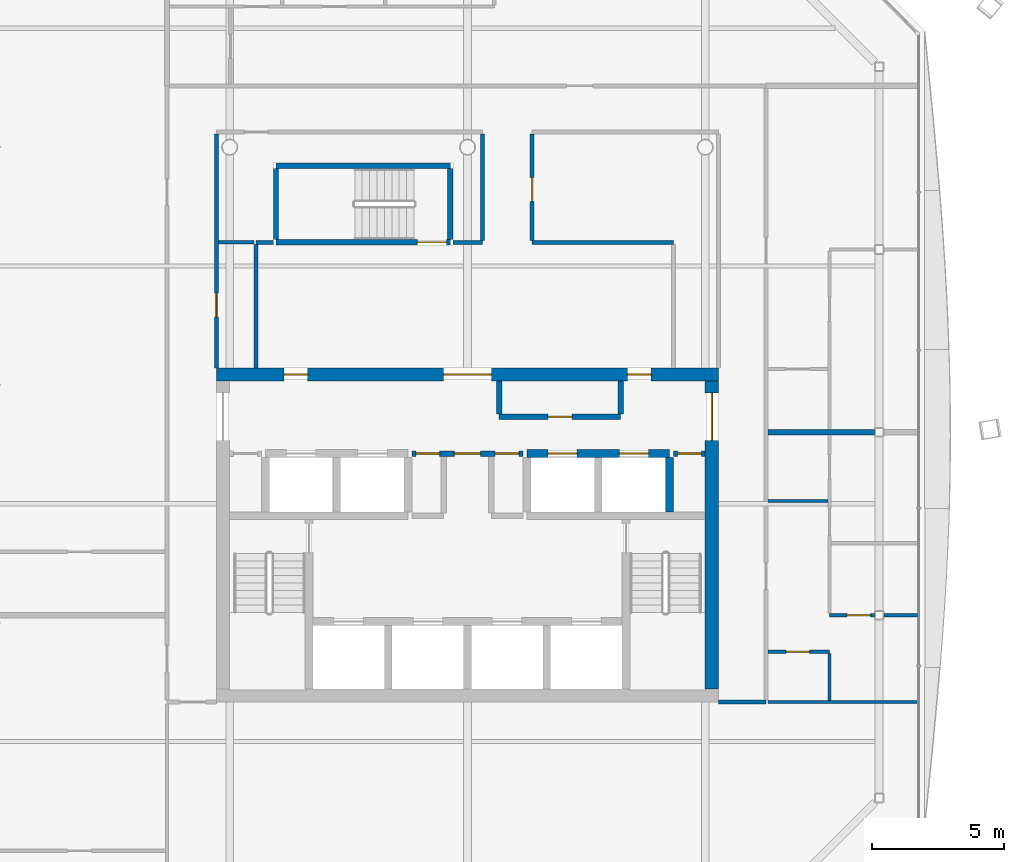
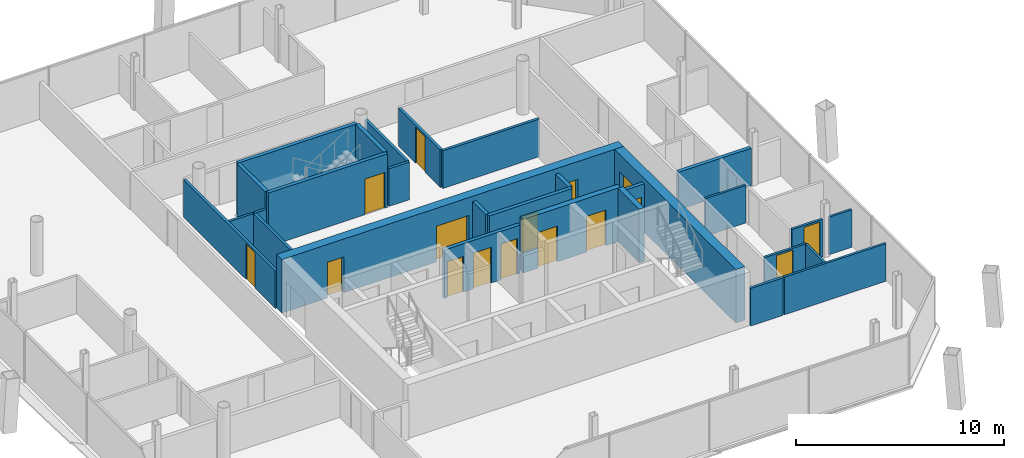
# One storey, part 15 of 20: 29 walls, 16 doors, 16 openings.
"""IFC4 building model written with IfcOpenShell, lengths in metres."""

import ifcopenshell
import ifcopenshell.guid

model = None  # the IFC model being written
_history = None  # IfcOwnerHistory: only IFC2X3 demands one
_inside = {}  # id of a spatial element -> (the spatial element, [elements in it])
_under = {}  # id of a project, library or spatial element -> (it, [spatial elements below it])
_declared = {}  # id of a project -> (the project, [libraries it declares])
_typed = {}  # id of a type object -> (the type object, [elements of that type])
_made_of = {}  # id of a material, layer set ... -> (it, [elements and type objects made of it])


def new_model(schema):
    """Start an empty IFC model of exactly this schema.

    Asked for "IFC4X3", IfcOpenShell would pick the latest addendum, in which some entities
    have other attributes; the version numbers below select the first issue.
    IFC2X3 requires an IfcOwnerHistory on every rooted entity: one is made here for all.
    """
    global model, _history
    if schema == "IFC4X3":
        model = ifcopenshell.file(schema_version=(4, 3, 0, 0))
    else:
        model = ifcopenshell.file(schema=schema)
    _inside.clear()
    _under.clear()
    _declared.clear()
    _typed.clear()
    _made_of.clear()
    _history = None
    if model.schema == "IFC2X3":
        org = make("IfcOrganization", Name="unknown")
        user = make(
            "IfcPersonAndOrganization",
            ThePerson=make("IfcPerson", FamilyName="unknown"),
            TheOrganization=org,
        )
        app = make(
            "IfcApplication",
            ApplicationDeveloper=org,
            Version="unknown",
            ApplicationFullName="unknown",
            ApplicationIdentifier="unknown",
        )
        _history = make(
            "IfcOwnerHistory",
            OwningUser=user,
            OwningApplication=app,
            ChangeAction="ADDED",
            CreationDate=0,
        )
    return model


def make(cls, **values):
    """One entity of the class cls with the attributes given. An attribute that is None is left unset."""
    return model.create_entity(
        cls, **{name: value for name, value in values.items() if value is not None}
    )


def rooted(cls, **values):
    """An entity with a GlobalId (a new one), such as an element, a storey or a relation."""
    return make(cls, GlobalId=ifcopenshell.guid.new(), OwnerHistory=_history, **values)


def si_unit(unit_type, name, prefix=None):
    """IfcSIUnit, for example si_unit("LENGTHUNIT", "METRE", prefix="MILLI")."""
    return make("IfcSIUnit", UnitType=unit_type, Prefix=prefix, Name=name)


def assignment(units):
    """IfcUnitAssignment: the units of a project."""
    return None if units is None else make("IfcUnitAssignment", Units=units)


def point(xyz):
    """IfcCartesianPoint."""
    return None if xyz is None else make("IfcCartesianPoint", Coordinates=xyz)


def direction(xyz):
    """IfcDirection."""
    return None if xyz is None else make("IfcDirection", DirectionRatios=xyz)


def frame(location, z_axis=None, x_axis=None):
    """IfcAxis2Placement3D, a coordinate frame: its origin and axes. An axis left out is left unset."""
    return make(
        "IfcAxis2Placement3D",
        Location=point(location),
        Axis=direction(z_axis),
        RefDirection=direction(x_axis),
    )


def frame_2d(location, x_axis=None):
    """IfcAxis2Placement2D, a coordinate frame in the plane: its origin and x axis."""
    return make(
        "IfcAxis2Placement2D", Location=point(location), RefDirection=direction(x_axis)
    )


def origin():
    """The frame at (0, 0, 0) with its axes left unset."""
    return frame((0.0, 0.0, 0.0))


def place(relative_to, where):
    """IfcLocalPlacement: puts the frame where relative to a parent placement (None: the world)."""
    return make(
        "IfcLocalPlacement", PlacementRelTo=relative_to, RelativePlacement=where
    )


def context(
    kind, dimensions, precision=None, world=None, true_north=None, identifier=None
):
    """IfcGeometricRepresentationContext, for example the 3D "Model" context."""
    return make(
        "IfcGeometricRepresentationContext",
        ContextIdentifier=identifier,
        ContextType=kind,
        CoordinateSpaceDimension=dimensions,
        Precision=precision,
        WorldCoordinateSystem=world,
        TrueNorth=true_north,
    )


def subcontext(parent, identifier, kind, view, scale=None):
    """IfcGeometricRepresentationSubContext, for example "Body" below "Model"."""
    return make(
        "IfcGeometricRepresentationSubContext",
        ContextIdentifier=identifier,
        ContextType=kind,
        ParentContext=parent,
        TargetScale=scale,
        TargetView=view,
    )


def project(units=None, contexts=None):
    """IfcProject with its units and contexts."""
    return rooted(
        "IfcProject",
        Name="project",
        RepresentationContexts=contexts,
        UnitsInContext=assignment(units),
    )


def spatial(cls, under=None, at=None, **own):
    """A site, building, storey or space (cls), placed at a placement, below another one or the project."""
    s = rooted(cls, ObjectPlacement=at, **own)
    if under is not None:
        _under.setdefault(under.id(), (under, []))[1].append(s)
    return s


def profile(cls, at=None, kind="AREA", **sizes):
    """A parametric profile (cls). Its sizes go by their IFC names, for example OverallWidth=200.0."""
    return make(cls, ProfileType=kind, Position=at, **sizes)


def rectangle(**sizes):
    """IfcRectangleProfileDef."""
    return profile("IfcRectangleProfileDef", **sizes)


def extrude(swept, where, along, depth):
    """IfcExtrudedAreaSolid: the profile swept, set in the frame where, extruded along a direction by depth."""
    return make(
        "IfcExtrudedAreaSolid",
        SweptArea=swept,
        Position=where,
        ExtrudedDirection=direction(along),
        Depth=depth,
    )


def shape(context_of_items, identifier, shape_type, items):
    """IfcShapeRepresentation: the items that make up one representation, for example the "Body"."""
    return make(
        "IfcShapeRepresentation",
        ContextOfItems=context_of_items,
        RepresentationIdentifier=identifier,
        RepresentationType=shape_type,
        Items=items,
    )


def material(Name=None, Category=None):
    """IfcMaterial."""
    return make("IfcMaterial", Name=Name, Category=Category)


def layer(
    of_material, thickness, ventilated=None, Name=None, Category=None, Priority=None
):
    """IfcMaterialLayer: one layer of a wall or slab, of a material (None: an air gap)."""
    return make(
        "IfcMaterialLayer",
        Material=of_material,
        LayerThickness=thickness,
        IsVentilated=ventilated,
        Name=Name,
        Category=Category,
        Priority=Priority,
    )


def layer_set(layers, Name=None):
    """IfcMaterialLayerSet."""
    return make("IfcMaterialLayerSet", MaterialLayers=layers, LayerSetName=Name)


def made_of(thing, what):
    """Note that an element or type object is made of a material, layer set ...; save() writes the relation."""
    if what is not None:
        _made_of.setdefault(what.id(), (what, []))[1].append(thing)
    return thing


def type_object(cls, material=None, **own):
    """A type object (cls), such as IfcWallType, which elements share."""
    return made_of(rooted(cls, **own), material)


def element(
    cls,
    number,
    at=None,
    inside=None,
    cuts=None,
    type_object=None,
    material=None,
    context=None,
    identifier="Body",
    shape_type=None,
    held_by="IfcProductDefinitionShape",
    body=None,
    shapes=None,
    **own,
):
    """One element of the class cls, such as IfcWall. Its Tag is "e" and its number.

    at: its placement. inside: the storey or other place that contains it. cuts: it is an
    opening in that element (IfcRelVoidsElement). A single representation is given by context,
    identifier, shape_type and body (its items); several are given by shapes. held_by: the class
    of the entity that holds the representations. save() writes the other relations.
    """
    e = rooted(cls, Tag="e%d" % number, ObjectPlacement=at, **own)
    if body is not None:
        shapes = [shape(context, identifier, shape_type, body)]
    if shapes is not None:
        e.Representation = make(held_by, Representations=shapes)
    if inside is not None:
        _inside.setdefault(inside.id(), (inside, []))[1].append(e)
    if cuts is not None:
        rooted(
            "IfcRelVoidsElement", RelatingBuildingElement=cuts, RelatedOpeningElement=e
        )
    if type_object is not None:
        _typed.setdefault(type_object.id(), (type_object, []))[1].append(e)
    return made_of(e, material)


def fill(opening, filler):
    """IfcRelFillsElement: the door or window that sits in an opening."""
    return rooted(
        "IfcRelFillsElement",
        RelatingOpeningElement=opening,
        RelatedBuildingElement=filler,
    )


def aggregate(whole, parts):
    """IfcRelAggregates: a whole, such as a stair, and the parts it consists of."""
    return rooted("IfcRelAggregates", RelatingObject=whole, RelatedObjects=parts)


def save(model, path):
    """Write the relations noted so far, then the file.

    IfcRelAggregates (storeys below a building ...), IfcRelContainedInSpatialStructure (elements
    in a storey), IfcRelDefinesByType, IfcRelAssociatesMaterial and IfcRelDeclares: one each for
    every whole, place, type object, material and project.
    """
    for whole, parts in _under.values():
        aggregate(whole, parts)
    for where, things in _inside.values():
        rooted(
            "IfcRelContainedInSpatialStructure",
            RelatedElements=things,
            RelatingStructure=where,
        )
    for kind, things in _typed.values():
        rooted("IfcRelDefinesByType", RelatedObjects=things, RelatingType=kind)
    for what, things in _made_of.values():
        rooted("IfcRelAssociatesMaterial", RelatedObjects=things, RelatingMaterial=what)
    for by, libraries in _declared.values():
        rooted("IfcRelDeclares", RelatingContext=by, RelatedDefinitions=libraries)
    model.write(path)


model = new_model("IFC4")

# Units and contexts
model_context = context("Model", 3, precision=1e-05, world=origin(), true_north=direction((0.0, 1.0)))
body_context = subcontext(model_context, "Body", "Model", "MODEL_VIEW")
ifc_project = project(units=[si_unit("LENGTHUNIT", "METRE"), si_unit("AREAUNIT", "SQUARE_METRE"), si_unit("VOLUMEUNIT", "CUBIC_METRE"), si_unit("PLANEANGLEUNIT", "RADIAN"), si_unit("MASSUNIT", "GRAM", prefix="KILO")], contexts=[model_context])

# Site, building, storey
site_placement = place(None, origin())
site = spatial("IfcSite", under=ifc_project, at=site_placement, CompositionType="ELEMENT")
building_placement = place(site_placement, origin())
building = spatial("IfcBuilding", under=site, at=building_placement, Name="Tskaro Facet Tower", CompositionType="ELEMENT")
storey_placement = place(building_placement, frame((0.0, 0.0, 197.39990234375)))
storey = spatial("IfcBuildingStorey", under=building, at=storey_placement, Name="L50", CompositionType="ELEMENT", Elevation=197.39990234375)

# Wall, openings, doors
ifc_material_1 = material(Name="Concrete C60/75", Category="concrete")
ifc_layer_1 = layer(ifc_material_1, 0.300048828125, Name="Concrete C60/75")
ifc_layer_set_1 = layer_set([ifc_layer_1], Name="Concrete C60/75")
wall_type_1 = type_object("IfcWallType", Name="CORE-SHAFT", PredefinedType="SHEAR", material=ifc_layer_set_1)
wall_1_placement = place(storey_placement, frame((2.25, -2.60009765625, 0.0), z_axis=(0.0, 0.0, 1.0), x_axis=(1.0, 0.0, 0.0)))
wall_1 = element("IfcWall", 1, at=wall_1_placement, inside=storey, type_object=wall_type_1, Name="Shaft wall W025", PredefinedType="SHEAR", context=body_context, shape_type="SweptSolid", body=[
    extrude(rectangle(XDim=5.39990234375, YDim=0.300048828125, at=frame_2d((2.699951171875, 0.0))), origin(), (0.0, 0.0, 1.0), 3.150146484375),
])
opening_1_placement = place(wall_1_placement, frame((0.800048828125, 0.0, 0.0)))
opening_1 = element("IfcOpeningElement", 2, at=opening_1_placement, cuts=wall_1, Name="Opening LD-HB3", PredefinedType="OPENING", context=body_context, shape_type="SweptSolid", body=[
    extrude(rectangle(XDim=1.10009765625, YDim=2.10009765625, at=frame_2d((0.550048828125, 1.050048828125))), frame((0.0, 0.159912109375, 0.0), z_axis=(0.0, -1.0, 0.0), x_axis=(1.0, 0.0, 0.0)), (0.0, 0.0, 1.0), 0.320068359375),
])
opening_2_placement = place(wall_1_placement, frame((3.5, 0.0, 0.0)))
opening_2 = element("IfcOpeningElement", 3, at=opening_2_placement, cuts=wall_1, Name="Opening LD-HB4", PredefinedType="OPENING", context=body_context, shape_type="SweptSolid", body=[
    extrude(rectangle(XDim=1.10009765625, YDim=2.10009765625, at=frame_2d((0.550048828125, 1.050048828125))), frame((0.0, 0.159912109375, 0.0), z_axis=(0.0, -1.0, 0.0), x_axis=(1.0, 0.0, 0.0)), (0.0, 0.0, 1.0), 0.320068359375),
])
ifc_material_2 = material(Name="Stainless steel", Category="steel")
door_type_1 = type_object("IfcDoorType", Name="D-LANDING", OperationType="NOTDEFINED", PredefinedType="DOOR", material=ifc_material_2)
door_1_placement = place(opening_1_placement, origin())
door_1 = element("IfcDoor", 4, at=door_1_placement, inside=storey, type_object=door_type_1, Name="Landing door HB3", OperationType="DOUBLE_DOOR_SLIDING", OverallHeight=2.10009765625, OverallWidth=1.10009765625, PredefinedType="DOOR", context=body_context, shape_type="SweptSolid", body=[
    extrude(rectangle(XDim=1.10009765625, YDim=2.10009765625, at=frame_2d((0.550048828125, 1.050048828125))), frame((0.0, 0.02490234375, 0.0), z_axis=(0.0, -1.0, 0.0), x_axis=(1.0, 0.0, 0.0)), (0.0, 0.0, 1.0), 0.050048828125),
])
fill(opening_1, door_1)
door_2_placement = place(opening_2_placement, origin())
door_2 = element("IfcDoor", 5, at=door_2_placement, inside=storey, type_object=door_type_1, Name="Landing door HB4", OperationType="DOUBLE_DOOR_SLIDING", OverallHeight=2.10009765625, OverallWidth=1.10009765625, PredefinedType="DOOR", context=body_context, shape_type="SweptSolid", body=[
    extrude(rectangle(XDim=1.10009765625, YDim=2.10009765625, at=frame_2d((0.550048828125, 1.050048828125))), frame((0.0, 0.02490234375, 0.0), z_axis=(0.0, -1.0, 0.0), x_axis=(1.0, 0.0, 0.0)), (0.0, 0.0, 1.0), 0.050048828125),
])
fill(opening_2, door_2)

# Wall
wall_2_placement = place(storey_placement, frame((7.64990234375, -4.800048828125, 0.0), z_axis=(0.0, 0.0, 1.0), x_axis=(0.0, 1.0, 0.0)))
element("IfcWall", 6, at=wall_2_placement, inside=storey, type_object=wall_type_1, Name="Shaft wall W080", PredefinedType="SHEAR", context=body_context, shape_type="SweptSolid", body=[
    extrude(rectangle(XDim=2.050048828125, YDim=0.300048828125, at=frame_2d((1.02490234375, 0.0))), origin(), (0.0, 0.0, 1.0), 3.150146484375),
])

# Wall, openings, doors
ifc_material_3 = material(Name="Concrete C20/25", Category="concrete")
ifc_layer_2 = layer(ifc_material_3, 0.199951171875, Name="Concrete C20/25")
ifc_layer_set_2 = layer_set([ifc_layer_2], Name="Concrete C20/25")
wall_type_2 = type_object("IfcWallType", Name="CORE-WALL", PredefinedType="SOLIDWALL", material=ifc_layer_set_2)
wall_3_placement = place(storey_placement, frame((2.10009765625, -2.60009765625, 0.0), z_axis=(0.0, 0.0, 1.0), x_axis=(-1.0, 0.0, 0.0)))
wall_3 = element("IfcWall", 7, at=wall_3_placement, inside=storey, type_object=wall_type_2, Name="Core room wall W024", PredefinedType="SOLIDWALL", context=body_context, shape_type="SweptSolid", body=[
    extrude(rectangle(XDim=4.2001953125, YDim=0.199951171875, at=frame_2d((2.10009765625, 0.0))), origin(), (0.0, 0.0, 1.0), 2.85009765625),
])
opening_3_placement = place(wall_3_placement, frame((1.60009765625, 0.0, 0.0)))
opening_3 = element("IfcOpeningElement", 8, at=opening_3_placement, cuts=wall_3, Name="Opening FL-D1", PredefinedType="OPENING", context=body_context, shape_type="SweptSolid", body=[
    extrude(rectangle(XDim=1.0, YDim=2.10009765625, at=frame_2d((0.5, 1.050048828125))), frame((0.0, 0.10986328125, 0.0), z_axis=(0.0, -1.0, 0.0), x_axis=(1.0, 0.0, 0.0)), (0.0, 0.0, 1.0), 0.219970703125),
])
opening_4_placement = place(wall_3_placement, frame((3.14990234375, 0.0, 0.0)))
opening_4 = element("IfcOpeningElement", 9, at=opening_4_placement, cuts=wall_3, Name="Opening T14-D14", PredefinedType="OPENING", context=body_context, shape_type="SweptSolid", body=[
    extrude(rectangle(XDim=0.89990234375, YDim=2.10009765625, at=frame_2d((0.449951171875, 1.050048828125))), frame((0.0, 0.10986328125, 0.0), z_axis=(0.0, -1.0, 0.0), x_axis=(1.0, 0.0, 0.0)), (0.0, 0.0, 1.0), 0.219970703125),
])
opening_5_placement = place(wall_3_placement, frame((0.14990234375, 0.0, 0.0)))
opening_5 = element("IfcOpeningElement", 10, at=opening_5_placement, cuts=wall_3, Name="Opening T14-D15", PredefinedType="OPENING", context=body_context, shape_type="SweptSolid", body=[
    extrude(rectangle(XDim=0.89990234375, YDim=2.10009765625, at=frame_2d((0.449951171875, 1.050048828125))), frame((0.0, 0.10986328125, 0.0), z_axis=(0.0, -1.0, 0.0), x_axis=(1.0, 0.0, 0.0)), (0.0, 0.0, 1.0), 0.219970703125),
])
ifc_material_4 = material(Name="Steel", Category="steel")
door_type_2 = type_object("IfcDoorType", Name="D-LOBBY", OperationType="NOTDEFINED", PredefinedType="DOOR", material=ifc_material_4)
door_3_placement = place(opening_3_placement, origin())
door_3 = element("IfcDoor", 11, at=door_3_placement, inside=storey, type_object=door_type_2, Name="Lobby door FL", OperationType="SINGLE_SWING_RIGHT", OverallHeight=2.10009765625, OverallWidth=1.0, PredefinedType="DOOR", context=body_context, shape_type="SweptSolid", body=[
    extrude(rectangle(XDim=1.0, YDim=2.10009765625, at=frame_2d((0.5, 1.050048828125))), frame((0.0, 0.02490234375, 0.0), z_axis=(0.0, -1.0, 0.0), x_axis=(1.0, 0.0, 0.0)), (0.0, 0.0, 1.0), 0.050048828125),
])
fill(opening_3, door_3)
ifc_material_5 = material(Name="Timber", Category="wood")
door_type_3 = type_object("IfcDoorType", Name="D-ROOM", OperationType="NOTDEFINED", PredefinedType="DOOR", material=ifc_material_5)
door_4_placement = place(opening_4_placement, origin())
door_4 = element("IfcDoor", 12, at=door_4_placement, inside=storey, type_object=door_type_3, Name="Door T14-D14", OperationType="SINGLE_SWING_RIGHT", OverallHeight=2.10009765625, OverallWidth=0.89990234375, PredefinedType="DOOR", context=body_context, shape_type="SweptSolid", body=[
    extrude(rectangle(XDim=0.89990234375, YDim=2.10009765625, at=frame_2d((0.449951171875, 1.050048828125))), frame((0.0, 0.02490234375, 0.0), z_axis=(0.0, -1.0, 0.0), x_axis=(1.0, 0.0, 0.0)), (0.0, 0.0, 1.0), 0.050048828125),
])
fill(opening_4, door_4)
door_5_placement = place(opening_5_placement, origin())
door_5 = element("IfcDoor", 13, at=door_5_placement, inside=storey, type_object=door_type_3, Name="Door T14-D15", OperationType="SINGLE_SWING_RIGHT", OverallHeight=2.10009765625, OverallWidth=0.89990234375, PredefinedType="DOOR", context=body_context, shape_type="SweptSolid", body=[
    extrude(rectangle(XDim=0.89990234375, YDim=2.10009765625, at=frame_2d((0.449951171875, 1.050048828125))), frame((0.0, 0.02490234375, 0.0), z_axis=(0.0, -1.0, 0.0), x_axis=(1.0, 0.0, 0.0)), (0.0, 0.0, 1.0), 0.050048828125),
])
fill(opening_5, door_5)

# Wall, opening, door
wall_4_placement = place(storey_placement, frame((9.0, -2.60009765625, 0.0), z_axis=(0.0, 0.0, 1.0), x_axis=(-1.0, 0.0, 0.0)))
wall_4 = element("IfcWall", 14, at=wall_4_placement, inside=storey, type_object=wall_type_2, Name="Core room wall W026", PredefinedType="SOLIDWALL", context=body_context, shape_type="SweptSolid", body=[
    extrude(rectangle(XDim=1.199951171875, YDim=0.199951171875, at=frame_2d((0.60009765625, 0.0))), origin(), (0.0, 0.0, 1.0), 2.85009765625),
])
opening_6_placement = place(wall_4_placement, frame((0.14990234375, 0.0, 0.0)))
opening_6 = element("IfcOpeningElement", 15, at=opening_6_placement, cuts=wall_4, Name="Opening T14-D16", PredefinedType="OPENING", context=body_context, shape_type="SweptSolid", body=[
    extrude(rectangle(XDim=0.89990234375, YDim=2.10009765625, at=frame_2d((0.449951171875, 1.050048828125))), frame((0.0, 0.10986328125, 0.0), z_axis=(0.0, -1.0, 0.0), x_axis=(1.0, 0.0, 0.0)), (0.0, 0.0, 1.0), 0.219970703125),
])
door_6_placement = place(opening_6_placement, origin())
door_6 = element("IfcDoor", 16, at=door_6_placement, inside=storey, type_object=door_type_3, Name="Door T14-D16", OperationType="SINGLE_SWING_RIGHT", OverallHeight=2.10009765625, OverallWidth=0.89990234375, PredefinedType="DOOR", context=body_context, shape_type="SweptSolid", body=[
    extrude(rectangle(XDim=0.89990234375, YDim=2.10009765625, at=frame_2d((0.449951171875, 1.050048828125))), frame((0.0, 0.02490234375, 0.0), z_axis=(0.0, -1.0, 0.0), x_axis=(1.0, 0.0, 0.0)), (0.0, 0.0, 1.0), 0.050048828125),
])
fill(opening_6, door_6)

wall_5_placement = place(storey_placement, frame((1.199951171875, -1.199951171875, 0.0), z_axis=(0.0, 0.0, 1.0), x_axis=(1.0, 0.0, 0.0)))
wall_5 = element("IfcWall", 17, at=wall_5_placement, inside=storey, type_object=wall_type_2, Name="Core room wall W031", PredefinedType="SOLIDWALL", context=body_context, shape_type="SweptSolid", body=[
    extrude(rectangle(XDim=4.60009765625, YDim=0.199951171875, at=frame_2d((2.300048828125, 0.0))), origin(), (0.0, 0.0, 1.0), 2.85009765625),
])
opening_7_placement = place(wall_5_placement, frame((1.85009765625, 0.0, 0.0)))
opening_7 = element("IfcOpeningElement", 18, at=opening_7_placement, cuts=wall_5, Name="Opening T14-D18", PredefinedType="OPENING", context=body_context, shape_type="SweptSolid", body=[
    extrude(rectangle(XDim=0.89990234375, YDim=2.10009765625, at=frame_2d((0.449951171875, 1.050048828125))), frame((0.0, 0.10986328125, 0.0), z_axis=(0.0, -1.0, 0.0), x_axis=(1.0, 0.0, 0.0)), (0.0, 0.0, 1.0), 0.219970703125),
])
door_7_placement = place(opening_7_placement, origin())
door_7 = element("IfcDoor", 19, at=door_7_placement, inside=storey, type_object=door_type_3, Name="Door T14-D18", OperationType="SINGLE_SWING_LEFT", OverallHeight=2.10009765625, OverallWidth=0.89990234375, PredefinedType="DOOR", context=body_context, shape_type="SweptSolid", body=[
    extrude(rectangle(XDim=0.89990234375, YDim=2.10009765625, at=frame_2d((0.449951171875, 1.050048828125))), frame((0.0, 0.02490234375, 0.0), z_axis=(0.0, -1.0, 0.0), x_axis=(1.0, 0.0, 0.0)), (0.0, 0.0, 1.0), 0.050048828125),
])
fill(opening_7, door_7)

# Walls
for number, where, z_axis, x_axis, name in (
    (20, (1.199951171875, -1.10009765625, 0.0), (0.0, 0.0, 1.0), (0.0, 1.0, 0.0), "Core room wall W073"),
    (21, (5.800048828125, -1.10009765625, 0.0), (0.0, 0.0, 1.0), (0.0, 1.0, 0.0), "Core room wall W078"),
):
    element("IfcWall", number, at=place(storey_placement, frame(where, z_axis=z_axis, x_axis=x_axis)), inside=storey, type_object=wall_type_2, Name=name, PredefinedType="SOLIDWALL", context=body_context, shape_type="SweptSolid", body=[
        extrude(rectangle(XDim=1.25, YDim=0.199951171875, at=frame_2d((0.625, 0.0))), origin(), (0.0, 0.0, 1.0), 2.85009765625),
    ])

# Wall, openings, doors
ifc_material_6 = material(Name="Concrete C40/50", Category="concrete")
ifc_layer_3 = layer(ifc_material_6, 0.5, Name="Concrete C40/50")
ifc_layer_set_3 = layer_set([ifc_layer_3], Name="Concrete C40/50")
wall_type_3 = type_object("IfcWallType", Name="Core wall 500", PredefinedType="SHEAR", material=ifc_layer_set_3)
wall_6_placement = place(storey_placement, frame((-9.5, 0.39990234375, 0.0), z_axis=(0.0, 0.0, 1.0), x_axis=(1.0, 0.0, 0.0)))
wall_6 = element("IfcWall", 22, at=wall_6_placement, inside=storey, type_object=wall_type_3, Name="Core wall CW-Z3N", PredefinedType="SHEAR", context=body_context, shape_type="SweptSolid", body=[
    extrude(rectangle(XDim=19.0, YDim=0.5, at=frame_2d((9.5, 0.0))), origin(), (0.0, 0.0, 1.0), 3.150146484375),
])
opening_8_placement = place(wall_6_placement, frame((8.60009765625, 0.0, 0.0)))
opening_8 = element("IfcOpeningElement", 23, at=opening_8_placement, cuts=wall_6, Name="Opening T14-D21", PredefinedType="OPENING", context=body_context, shape_type="SweptSolid", body=[
    extrude(rectangle(XDim=1.800048828125, YDim=2.10009765625, at=frame_2d((0.89990234375, 1.050048828125))), frame((0.0, 0.260009765625, 0.0), z_axis=(0.0, -1.0, 0.0), x_axis=(1.0, 0.0, 0.0)), (0.0, 0.0, 1.0), 0.52001953125),
])
opening_9_placement = place(wall_6_placement, frame((2.550048828125, 0.0, 0.0)))
opening_9 = element("IfcOpeningElement", 24, at=opening_9_placement, cuts=wall_6, Name="Opening T14-D20", PredefinedType="OPENING", context=body_context, shape_type="SweptSolid", body=[
    extrude(rectangle(XDim=0.89990234375, YDim=2.10009765625, at=frame_2d((0.449951171875, 1.050048828125))), frame((0.0, 0.260009765625, 0.0), z_axis=(0.0, -1.0, 0.0), x_axis=(1.0, 0.0, 0.0)), (0.0, 0.0, 1.0), 0.52001953125),
])
opening_10_placement = place(wall_6_placement, frame((15.550048828125, 0.0, 0.0)))
opening_10 = element("IfcOpeningElement", 25, at=opening_10_placement, cuts=wall_6, Name="Opening T14-D22", PredefinedType="OPENING", context=body_context, shape_type="SweptSolid", body=[
    extrude(rectangle(XDim=0.89990234375, YDim=2.10009765625, at=frame_2d((0.449951171875, 1.050048828125))), frame((0.0, 0.260009765625, 0.0), z_axis=(0.0, -1.0, 0.0), x_axis=(1.0, 0.0, 0.0)), (0.0, 0.0, 1.0), 0.52001953125),
])
door_type_4 = type_object("IfcDoorType", Name="D-CORE-PAIR", OperationType="NOTDEFINED", PredefinedType="DOOR", material=ifc_material_4)
door_8_placement = place(opening_8_placement, origin())
door_8 = element("IfcDoor", 26, at=door_8_placement, inside=storey, type_object=door_type_4, Name="Door T14-D21", OperationType="DOUBLE_DOOR_SINGLE_SWING", OverallHeight=2.10009765625, OverallWidth=1.800048828125, PredefinedType="DOOR", context=body_context, shape_type="SweptSolid", body=[
    extrude(rectangle(XDim=1.800048828125, YDim=2.10009765625, at=frame_2d((0.89990234375, 1.050048828125))), frame((0.0, 0.02490234375, 0.0), z_axis=(0.0, -1.0, 0.0), x_axis=(1.0, 0.0, 0.0)), (0.0, 0.0, 1.0), 0.050048828125),
])
fill(opening_8, door_8)
door_9_placement = place(opening_9_placement, origin())
door_9 = element("IfcDoor", 27, at=door_9_placement, inside=storey, type_object=door_type_3, Name="Door T14-D20", OperationType="SINGLE_SWING_LEFT", OverallHeight=2.10009765625, OverallWidth=0.89990234375, PredefinedType="DOOR", context=body_context, shape_type="SweptSolid", body=[
    extrude(rectangle(XDim=0.89990234375, YDim=2.10009765625, at=frame_2d((0.449951171875, 1.050048828125))), frame((0.0, 0.02490234375, 0.0), z_axis=(0.0, -1.0, 0.0), x_axis=(1.0, 0.0, 0.0)), (0.0, 0.0, 1.0), 0.050048828125),
])
fill(opening_9, door_9)
door_10_placement = place(opening_10_placement, origin())
door_10 = element("IfcDoor", 28, at=door_10_placement, inside=storey, type_object=door_type_3, Name="Door T14-D22", OperationType="SINGLE_SWING_LEFT", OverallHeight=2.10009765625, OverallWidth=0.89990234375, PredefinedType="DOOR", context=body_context, shape_type="SweptSolid", body=[
    extrude(rectangle(XDim=0.89990234375, YDim=2.10009765625, at=frame_2d((0.449951171875, 1.050048828125))), frame((0.0, 0.02490234375, 0.0), z_axis=(0.0, -1.0, 0.0), x_axis=(1.0, 0.0, 0.0)), (0.0, 0.0, 1.0), 0.050048828125),
])
fill(opening_10, door_10)

# Wall, opening, door
wall_7_placement = place(storey_placement, frame((9.25, -11.5, 0.0), z_axis=(0.0, 0.0, 1.0), x_axis=(0.0, 1.0, 0.0)))
wall_7 = element("IfcWall", 29, at=wall_7_placement, inside=storey, type_object=wall_type_3, Name="Core wall CW-Z3E", PredefinedType="SHEAR", context=body_context, shape_type="SweptSolid", body=[
    extrude(rectangle(XDim=11.64990234375, YDim=0.5, at=frame_2d((5.824951171875, 0.0))), origin(), (0.0, 0.0, 1.0), 3.150146484375),
])
opening_11_placement = place(wall_7_placement, frame((9.39990234375, 0.0, 0.0)))
opening_11 = element("IfcOpeningElement", 30, at=opening_11_placement, cuts=wall_7, Name="Opening T14-D19", PredefinedType="OPENING", context=body_context, shape_type="SweptSolid", body=[
    extrude(rectangle(XDim=1.800048828125, YDim=2.10009765625, at=frame_2d((0.89990234375, 1.050048828125))), frame((0.0, 0.260009765625, 0.0), z_axis=(0.0, -1.0, 0.0), x_axis=(1.0, 0.0, 0.0)), (0.0, 0.0, 1.0), 0.52001953125),
])
door_11_placement = place(opening_11_placement, origin())
door_11 = element("IfcDoor", 31, at=door_11_placement, inside=storey, type_object=door_type_4, Name="Door T14-D19", OperationType="DOUBLE_DOOR_SINGLE_SWING", OverallHeight=2.10009765625, OverallWidth=1.800048828125, PredefinedType="DOOR", context=body_context, shape_type="SweptSolid", body=[
    extrude(rectangle(XDim=1.800048828125, YDim=2.10009765625, at=frame_2d((0.89990234375, 1.050048828125))), frame((0.0, 0.02490234375, 0.0), z_axis=(0.0, -1.0, 0.0), x_axis=(1.0, 0.0, 0.0)), (0.0, 0.0, 1.0), 0.050048828125),
])
fill(opening_11, door_11)

# Wall
ifc_material_7 = material(Name="Gypsum board on steel studs", Category="steel")
ifc_layer_4 = layer(ifc_material_7, 0.125, Name="Gypsum board on steel studs")
ifc_layer_set_4 = layer_set([ifc_layer_4], Name="Gypsum board on steel studs")
wall_type_4 = type_object("IfcWallType", Name="PART", PredefinedType="PARTITIONING", material=ifc_layer_set_4)
wall_8_placement = place(storey_placement, frame((11.375, -12.0, 0.0), z_axis=(0.0, 0.0, 1.0), x_axis=(1.0, 0.0, 0.0)))
element("IfcWall", 32, at=wall_8_placement, inside=storey, type_object=wall_type_4, Name="Partition W006", PredefinedType="PARTITIONING", context=body_context, shape_type="SweptSolid", body=[
    extrude(rectangle(XDim=5.655029296875, YDim=0.125, at=frame_2d((2.82763671875, 0.0))), origin(), (0.0, 0.0, 1.0), 2.210205078125),
])

# Wall, opening, door
wall_9_placement = place(storey_placement, frame((13.699951171875, -10.10009765625, 0.0), z_axis=(0.0, 0.0, 1.0), x_axis=(-1.0, 0.0, 0.0)))
wall_9 = element("IfcWall", 33, at=wall_9_placement, inside=storey, type_object=wall_type_4, Name="Partition W007", PredefinedType="PARTITIONING", context=body_context, shape_type="SweptSolid", body=[
    extrude(rectangle(XDim=2.324951171875, YDim=0.125, at=frame_2d((1.16259765625, 0.0))), origin(), (0.0, 0.0, 1.0), 2.210205078125),
])
opening_12_placement = place(wall_9_placement, frame((0.75, 0.0, 0.0)))
opening_12 = element("IfcOpeningElement", 34, at=opening_12_placement, cuts=wall_9, Name="Opening T14-D05", PredefinedType="OPENING", context=body_context, shape_type="SweptSolid", body=[
    extrude(rectangle(XDim=0.89990234375, YDim=2.10009765625, at=frame_2d((0.449951171875, 1.050048828125))), frame((0.0, 0.072509765625, 0.0), z_axis=(0.0, -1.0, 0.0), x_axis=(1.0, 0.0, 0.0)), (0.0, 0.0, 1.0), 0.14501953125),
])
door_12_placement = place(opening_12_placement, origin())
door_12 = element("IfcDoor", 35, at=door_12_placement, inside=storey, type_object=door_type_3, Name="Door T14-D05", OperationType="SINGLE_SWING_RIGHT", OverallHeight=2.10009765625, OverallWidth=0.89990234375, PredefinedType="DOOR", context=body_context, shape_type="SweptSolid", body=[
    extrude(rectangle(XDim=0.89990234375, YDim=2.10009765625, at=frame_2d((0.449951171875, 1.050048828125))), frame((0.0, 0.02490234375, 0.0), z_axis=(0.0, -1.0, 0.0), x_axis=(1.0, 0.0, 0.0)), (0.0, 0.0, 1.0), 0.050048828125),
])
fill(opening_12, door_12)

wall_10_placement = place(storey_placement, frame((13.699951171875, -8.715087890625, 0.0), z_axis=(0.0, 0.0, 1.0), x_axis=(1.0, 0.0, 0.0)))
wall_10 = element("IfcWall", 36, at=wall_10_placement, inside=storey, type_object=wall_type_4, Name="Partition W012", PredefinedType="PARTITIONING", context=body_context, shape_type="SweptSolid", body=[
    extrude(rectangle(XDim=1.7080078125, YDim=0.125, at=frame_2d((0.85400390625, 0.0))), origin(), (0.0, 0.0, 1.0), 2.210205078125),
])
opening_13_placement = place(wall_10_placement, frame((0.657958984375, 0.0, 0.0)))
opening_13 = element("IfcOpeningElement", 37, at=opening_13_placement, cuts=wall_10, Name="Opening T14-D06", PredefinedType="OPENING", context=body_context, shape_type="SweptSolid", body=[
    extrude(rectangle(XDim=0.89990234375, YDim=2.10009765625, at=frame_2d((0.449951171875, 1.050048828125))), frame((0.0, 0.072509765625, 0.0), z_axis=(0.0, -1.0, 0.0), x_axis=(1.0, 0.0, 0.0)), (0.0, 0.0, 1.0), 0.14501953125),
])
door_13_placement = place(opening_13_placement, origin())
door_13 = element("IfcDoor", 38, at=door_13_placement, inside=storey, type_object=door_type_3, Name="Door T14-D06", OperationType="SINGLE_SWING_LEFT", OverallHeight=2.10009765625, OverallWidth=0.89990234375, PredefinedType="DOOR", context=body_context, shape_type="SweptSolid", body=[
    extrude(rectangle(XDim=0.89990234375, YDim=2.10009765625, at=frame_2d((0.449951171875, 1.050048828125))), frame((0.0, 0.02490234375, 0.0), z_axis=(0.0, -1.0, 0.0), x_axis=(1.0, 0.0, 0.0)), (0.0, 0.0, 1.0), 0.050048828125),
])
fill(opening_13, door_13)

# Walls
wall_11_placement = place(storey_placement, frame((15.758056640625, -8.715087890625, 0.0), z_axis=(0.0, 0.0, 1.0), x_axis=(1.0, 0.0, 0.0)))
element("IfcWall", 39, at=wall_11_placement, inside=storey, type_object=wall_type_4, Name="Partition W013", PredefinedType="PARTITIONING", context=body_context, shape_type="SweptSolid", body=[
    extrude(rectangle(XDim=1.27197265625, YDim=0.125, at=frame_2d((0.635986328125, 0.0))), origin(), (0.0, 0.0, 1.0), 2.210205078125),
])
wall_12_placement = place(storey_placement, frame((11.375, -4.39501953125, 0.0), z_axis=(0.0, 0.0, 1.0), x_axis=(1.0, 0.0, 0.0)))
element("IfcWall", 40, at=wall_12_placement, inside=storey, type_object=wall_type_4, Name="Partition W021", PredefinedType="PARTITIONING", context=body_context, shape_type="SweptSolid", body=[
    extrude(rectangle(XDim=2.262451171875, YDim=0.125, at=frame_2d((1.13134765625, 0.0))), origin(), (0.0, 0.0, 1.0), 2.210205078125),
])
wall_13_placement = place(storey_placement, frame((-9.425048828125, 5.39990234375, 0.0), z_axis=(0.0, 0.0, 1.0), x_axis=(1.0, 0.0, 0.0)))
element("IfcWall", 41, at=wall_13_placement, inside=storey, type_object=wall_type_4, Name="Partition W037", PredefinedType="PARTITIONING", context=body_context, shape_type="SweptSolid", body=[
    extrude(rectangle(XDim=1.35009765625, YDim=0.125, at=frame_2d((0.675048828125, 0.0))), origin(), (0.0, 0.0, 1.0), 2.210205078125),
])
wall_14_placement = place(storey_placement, frame((13.699951171875, -11.9375, 0.0), z_axis=(0.0, 0.0, 1.0), x_axis=(0.0, 1.0, 0.0)))
element("IfcWall", 42, at=wall_14_placement, inside=storey, type_object=wall_type_4, Name="Partition W084", PredefinedType="PARTITIONING", context=body_context, shape_type="SweptSolid", body=[
    extrude(rectangle(XDim=1.77490234375, YDim=0.125, at=frame_2d((0.887451171875, 0.0))), origin(), (0.0, 0.0, 1.0), 2.210205078125),
])
ifc_layer_5 = layer(ifc_material_7, 0.14990234375, Name="Gypsum board on steel studs")
ifc_layer_set_5 = layer_set([ifc_layer_5], Name="Gypsum board on steel studs")
wall_type_5 = type_object("IfcWallType", Name="PART-CORR", PredefinedType="PARTITIONING", material=ifc_layer_set_5)
wall_15_placement = place(storey_placement, frame((9.5, -12.0, 0.0), z_axis=(0.0, 0.0, 1.0), x_axis=(1.0, 0.0, 0.0)))
element("IfcWall", 43, at=wall_15_placement, inside=storey, type_object=wall_type_5, Name="Corridor wall W005", PredefinedType="PARTITIONING", context=body_context, shape_type="SweptSolid", body=[
    extrude(rectangle(XDim=1.800048828125, YDim=0.14990234375, at=frame_2d((0.89990234375, 0.0))), origin(), (0.0, 0.0, 1.0), 2.210205078125),
])
wall_16_placement = place(storey_placement, frame((-8.0, 5.39990234375, 0.0), z_axis=(0.0, 0.0, 1.0), x_axis=(1.0, 0.0, 0.0)))
element("IfcWall", 44, at=wall_16_placement, inside=storey, type_object=wall_type_5, Name="Corridor wall W038", PredefinedType="PARTITIONING", context=body_context, shape_type="SweptSolid", body=[
    extrude(rectangle(XDim=0.64990234375, YDim=0.14990234375, at=frame_2d((0.324951171875, 0.0))), origin(), (0.0, 0.0, 1.0), 2.210205078125),
])
wall_17_placement = place(storey_placement, frame((-0.550048828125, 5.39990234375, 0.0), z_axis=(0.0, 0.0, 1.0), x_axis=(1.0, 0.0, 0.0)))
element("IfcWall", 45, at=wall_17_placement, inside=storey, type_object=wall_type_5, Name="Corridor wall W040", PredefinedType="PARTITIONING", context=body_context, shape_type="SweptSolid", body=[
    extrude(rectangle(XDim=1.125, YDim=0.14990234375, at=frame_2d((0.5625, 0.0))), origin(), (0.0, 0.0, 1.0), 2.210205078125),
])
wall_18_placement = place(storey_placement, frame((2.449951171875, 5.39990234375, 0.0), z_axis=(0.0, 0.0, 1.0), x_axis=(1.0, 0.0, 0.0)))
element("IfcWall", 46, at=wall_18_placement, inside=storey, type_object=wall_type_5, Name="Corridor wall W041", PredefinedType="PARTITIONING", context=body_context, shape_type="SweptSolid", body=[
    extrude(rectangle(XDim=5.35009765625, YDim=0.14990234375, at=frame_2d((2.675048828125, 0.0))), origin(), (0.0, 0.0, 1.0), 2.210205078125),
])

# Wall, opening, door
wall_19_placement = place(storey_placement, frame((-9.5, 9.5, 0.0), z_axis=(0.0, 0.0, 1.0), x_axis=(0.0, -1.0, 0.0)))
wall_19 = element("IfcWall", 47, at=wall_19_placement, inside=storey, type_object=wall_type_5, Name="Corridor wall W054", PredefinedType="PARTITIONING", context=body_context, shape_type="SweptSolid", body=[
    extrude(rectangle(XDim=8.85009765625, YDim=0.14990234375, at=frame_2d((4.425048828125, 0.0))), origin(), (0.0, 0.0, 1.0), 2.210205078125),
])
opening_14_placement = place(wall_19_placement, frame((6.02490234375, 0.0, 0.0)))
opening_14 = element("IfcOpeningElement", 48, at=opening_14_placement, cuts=wall_19, Name="Opening T14-D25", PredefinedType="OPENING", context=body_context, shape_type="SweptSolid", body=[
    extrude(rectangle(XDim=0.89990234375, YDim=2.10009765625, at=frame_2d((0.449951171875, 1.050048828125))), frame((0.0, 0.0849609375, 0.0), z_axis=(0.0, -1.0, 0.0), x_axis=(1.0, 0.0, 0.0)), (0.0, 0.0, 1.0), 0.169921875),
])
door_14_placement = place(opening_14_placement, origin())
door_14 = element("IfcDoor", 49, at=door_14_placement, inside=storey, type_object=door_type_3, Name="Door T14-D25", OperationType="SINGLE_SWING_RIGHT", OverallHeight=2.10009765625, OverallWidth=0.89990234375, PredefinedType="DOOR", context=body_context, shape_type="SweptSolid", body=[
    extrude(rectangle(XDim=0.89990234375, YDim=2.10009765625, at=frame_2d((0.449951171875, 1.050048828125))), frame((0.0, 0.02490234375, 0.0), z_axis=(0.0, -1.0, 0.0), x_axis=(1.0, 0.0, 0.0)), (0.0, 0.0, 1.0), 0.050048828125),
])
fill(opening_14, door_14)

# Walls
wall_20_placement = place(storey_placement, frame((-8.0, 0.64990234375, 0.0), z_axis=(0.0, 0.0, 1.0), x_axis=(0.0, 1.0, 0.0)))
element("IfcWall", 50, at=wall_20_placement, inside=storey, type_object=wall_type_5, Name="Corridor wall W056", PredefinedType="PARTITIONING", context=body_context, shape_type="SweptSolid", body=[
    extrude(rectangle(XDim=4.675048828125, YDim=0.14990234375, at=frame_2d((2.33740234375, 0.0))), origin(), (0.0, 0.0, 1.0), 2.210205078125),
])
wall_21_placement = place(storey_placement, frame((0.574951171875, 5.47509765625, 0.0), z_axis=(0.0, 0.0, 1.0), x_axis=(0.0, 1.0, 0.0)))
element("IfcWall", 51, at=wall_21_placement, inside=storey, type_object=wall_type_5, Name="Corridor wall W069", PredefinedType="PARTITIONING", context=body_context, shape_type="SweptSolid", body=[
    extrude(rectangle(XDim=4.02490234375, YDim=0.14990234375, at=frame_2d((2.012451171875, 0.0))), origin(), (0.0, 0.0, 1.0), 2.210205078125),
])

# Wall, opening, door
wall_22_placement = place(storey_placement, frame((2.449951171875, 9.5, 0.0), z_axis=(0.0, 0.0, 1.0), x_axis=(0.0, -1.0, 0.0)))
wall_22 = element("IfcWall", 52, at=wall_22_placement, inside=storey, type_object=wall_type_5, Name="Corridor wall W075", PredefinedType="PARTITIONING", context=body_context, shape_type="SweptSolid", body=[
    extrude(rectangle(XDim=4.02490234375, YDim=0.14990234375, at=frame_2d((2.012451171875, 0.0))), origin(), (0.0, 0.0, 1.0), 2.210205078125),
])
opening_15_placement = place(wall_22_placement, frame((1.64990234375, 0.0, 0.0)))
opening_15 = element("IfcOpeningElement", 53, at=opening_15_placement, cuts=wall_22, Name="Opening T14-D29", PredefinedType="OPENING", context=body_context, shape_type="SweptSolid", body=[
    extrude(rectangle(XDim=0.89990234375, YDim=2.10009765625, at=frame_2d((0.449951171875, 1.050048828125))), frame((0.0, 0.0849609375, 0.0), z_axis=(0.0, -1.0, 0.0), x_axis=(1.0, 0.0, 0.0)), (0.0, 0.0, 1.0), 0.169921875),
])
door_15_placement = place(opening_15_placement, origin())
door_15 = element("IfcDoor", 54, at=door_15_placement, inside=storey, type_object=door_type_3, Name="Door T14-D29", OperationType="SINGLE_SWING_RIGHT", OverallHeight=2.10009765625, OverallWidth=0.89990234375, PredefinedType="DOOR", context=body_context, shape_type="SweptSolid", body=[
    extrude(rectangle(XDim=0.89990234375, YDim=2.10009765625, at=frame_2d((0.449951171875, 1.050048828125))), frame((0.0, 0.02490234375, 0.0), z_axis=(0.0, -1.0, 0.0), x_axis=(1.0, 0.0, 0.0)), (0.0, 0.0, 1.0), 0.050048828125),
])
fill(opening_15, door_15)

# Wall
ifc_layer_6 = layer(ifc_material_7, 0.199951171875, Name="Gypsum board on steel studs")
ifc_layer_set_6 = layer_set([ifc_layer_6], Name="Gypsum board on steel studs")
wall_type_6 = type_object("IfcWallType", Name="PART-DEMISING", PredefinedType="PARTITIONING", material=ifc_layer_set_6)
wall_23_placement = place(storey_placement, frame((11.375, -1.794921875, 0.0), z_axis=(0.0, 0.0, 1.0), x_axis=(1.0, 0.0, 0.0)))
element("IfcWall", 55, at=wall_23_placement, inside=storey, type_object=wall_type_6, Name="Guest room wall W029", PredefinedType="PARTITIONING", context=body_context, shape_type="SweptSolid", body=[
    extrude(rectangle(XDim=4.032958984375, YDim=0.199951171875, at=frame_2d((2.0166015625, 0.0))), origin(), (0.0, 0.0, 1.0), 2.210205078125),
])

# Wall, opening, door
ifc_layer_7 = layer(ifc_material_1, 0.199951171875, Name="Concrete C60/75")
ifc_layer_set_7 = layer_set([ifc_layer_7], Name="Concrete C60/75")
wall_type_7 = type_object("IfcWallType", Name="STAIR-WALL", PredefinedType="SHEAR", material=ifc_layer_set_7)
wall_24_placement = place(storey_placement, frame((-7.25, 5.39990234375, 0.0), z_axis=(0.0, 0.0, 1.0), x_axis=(1.0, 0.0, 0.0)))
wall_24 = element("IfcWall", 56, at=wall_24_placement, inside=storey, type_object=wall_type_7, Name="Stair wall W039", PredefinedType="SHEAR", context=body_context, shape_type="SweptSolid", body=[
    extrude(rectangle(XDim=6.60009765625, YDim=0.199951171875, at=frame_2d((3.300048828125, 0.0))), origin(), (0.0, 0.0, 1.0), 3.150146484375),
])
opening_16_placement = place(wall_24_placement, frame((5.35009765625, 0.0, 0.0)))
opening_16 = element("IfcOpeningElement", 57, at=opening_16_placement, cuts=wall_24, Name="Opening ST-3-D1", PredefinedType="OPENING", context=body_context, shape_type="SweptSolid", body=[
    extrude(rectangle(XDim=1.10009765625, YDim=2.10009765625, at=frame_2d((0.550048828125, 1.050048828125))), frame((0.0, 0.10986328125, 0.0), z_axis=(0.0, -1.0, 0.0), x_axis=(1.0, 0.0, 0.0)), (0.0, 0.0, 1.0), 0.219970703125),
])
door_type_5 = type_object("IfcDoorType", Name="D-STAIR", OperationType="NOTDEFINED", PredefinedType="DOOR", material=ifc_material_4)
door_16_placement = place(opening_16_placement, origin())
door_16 = element("IfcDoor", 58, at=door_16_placement, inside=storey, type_object=door_type_5, Name="Stair door 3", OperationType="SINGLE_SWING_LEFT", OverallHeight=2.10009765625, OverallWidth=1.10009765625, PredefinedType="DOOR", context=body_context, shape_type="SweptSolid", body=[
    extrude(rectangle(XDim=1.10009765625, YDim=2.10009765625, at=frame_2d((0.550048828125, 1.050048828125))), frame((0.0, 0.02490234375, 0.0), z_axis=(0.0, -1.0, 0.0), x_axis=(1.0, 0.0, 0.0)), (0.0, 0.0, 1.0), 0.050048828125),
])
fill(opening_16, door_16)

# Walls
wall_25_placement = place(storey_placement, frame((-7.25, 8.300048828125, 0.0), z_axis=(0.0, 0.0, 1.0), x_axis=(1.0, 0.0, 0.0)))
element("IfcWall", 59, at=wall_25_placement, inside=storey, type_object=wall_type_7, Name="Stair wall W042", PredefinedType="SHEAR", context=body_context, shape_type="SweptSolid", body=[
    extrude(rectangle(XDim=6.60009765625, YDim=0.199951171875, at=frame_2d((3.300048828125, 0.0))), origin(), (0.0, 0.0, 1.0), 3.150146484375),
])
for number, where, z_axis, x_axis, name in (
    (60, (-7.25, 5.5, 0.0), (0.0, 0.0, 1.0), (0.0, 1.0, 0.0), "Stair wall W058"),
    (61, (-0.64990234375, 5.5, 0.0), (0.0, 0.0, 1.0), (0.0, 1.0, 0.0), "Stair wall W067"),
):
    element("IfcWall", number, at=place(storey_placement, frame(where, z_axis=z_axis, x_axis=x_axis)), inside=storey, type_object=wall_type_7, Name=name, PredefinedType="SHEAR", context=body_context, shape_type="SweptSolid", body=[
        extrude(rectangle(XDim=2.699951171875, YDim=0.199951171875, at=frame_2d((1.35009765625, 0.0))), origin(), (0.0, 0.0, 1.0), 3.150146484375),
    ])

save(model, "model.ifc")
